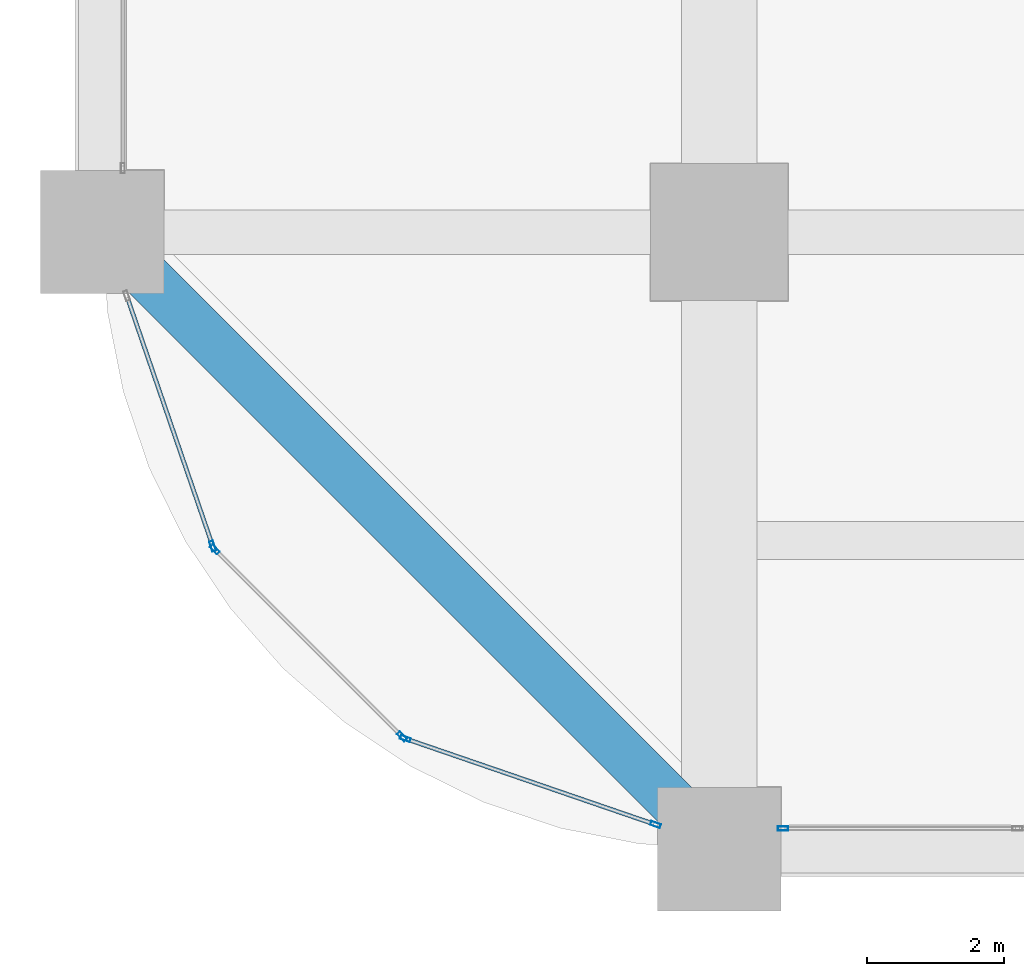
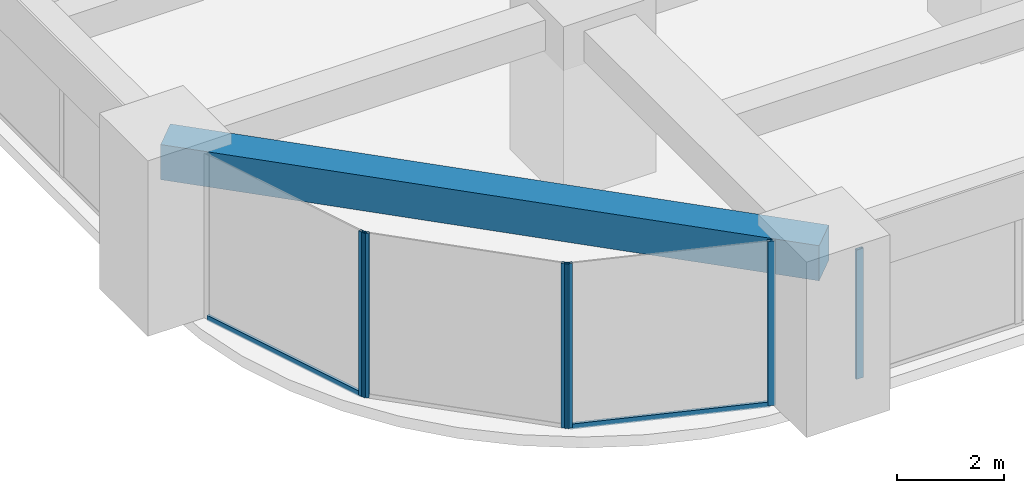
# One storey, part 2 of 39: 8 members, 1 beam, 4 elements without a shape of their own.
"""IFC4 building model written with IfcOpenShell, lengths in metres."""

from ifc_helpers import new_model, si_unit, direction, frame, origin, origin_2d, place, context, subcontext, project, spatial, rectangle, hollow_rectangle, extrude, material, material_profile, profile_set, type_object, element, aggregate, save


model = new_model("IFC4")

# Units and contexts
model_context = context("Model", 3, precision=1e-05, world=origin(), true_north=direction((0.0, 1.0)))
body_context = subcontext(model_context, "Body", "Model", "MODEL_VIEW")
ifc_project = project(units=[si_unit("LENGTHUNIT", "METRE"), si_unit("AREAUNIT", "SQUARE_METRE"), si_unit("VOLUMEUNIT", "CUBIC_METRE"), si_unit("PLANEANGLEUNIT", "RADIAN"), si_unit("MASSUNIT", "GRAM", prefix="KILO")], contexts=[model_context])

# Site, building, storey
site_placement = place(None, origin())
site = spatial("IfcSite", under=ifc_project, at=site_placement, CompositionType="ELEMENT")
building_placement = place(site_placement, origin())
building = spatial("IfcBuilding", under=site, at=building_placement, Name="Zorevar Civic Tower", CompositionType="ELEMENT")
storey_placement = place(building_placement, frame((0.0, 0.0, 117.0)))
storey = spatial("IfcBuildingStorey", under=building, at=storey_placement, Name="L28", CompositionType="ELEMENT", Elevation=117.0)

# Curtain wall, member
ifc_material_1 = material(Name="Dark grey solar-control glass in black aluminium frame", Category="aluminium")
curtain_wall_type = type_object("IfcCurtainWallType", Name="Curtain wall CW3 mid zone", PredefinedType="NOTDEFINED", material=ifc_material_1)
curtain_wall_1_placement = place(storey_placement, origin())
curtain_wall_1 = element("IfcCurtainWall", 1, at=curtain_wall_1_placement, inside=storey, type_object=curtain_wall_type, Name="CW3 L28", PredefinedType="NOTDEFINED")
ifc_material_2 = material(Name="Aluminium, black anodised", Category="aluminium")
ifc_material_profile_1 = material_profile(ifc_material_2, hollow_rectangle(XDim=0.06005859375, YDim=0.14990234375, WallThickness=0.00390625, at=origin_2d()), Name="AL 150x60x4")
ifc_profile_set_1 = profile_set([ifc_material_profile_1], Name="Aluminium, black anodised")
member_type_1 = type_object("IfcMemberType", Name="CW3 mullion AL 150x60x4", PredefinedType="MULLION", material=ifc_profile_set_1)
member_1_placement = place(storey_placement, frame((9.929931640625, 0.300048828125, 0.0), z_axis=(0.0, 0.0, 1.0), x_axis=(0.0, 1.0, 0.0)))
member_1 = element("IfcMember", 2, at=member_1_placement, type_object=member_type_1, Name="CW3 mullion 1", PredefinedType="MULLION", context=body_context, shape_type="SweptSolid", body=[
    extrude(hollow_rectangle(XDim=0.06005859375, YDim=0.14990234375, WallThickness=0.00390625, at=origin_2d()), origin(), (0.0, 0.0, 1.0), 2.949951171875),
])
aggregate(curtain_wall_1, [member_1])

curtain_wall_2_placement = place(storey_placement, origin())
curtain_wall_2 = element("IfcCurtainWall", 3, at=curtain_wall_2_placement, inside=storey, type_object=curtain_wall_type, Name="CW3 L28", PredefinedType="NOTDEFINED")
member_2_placement = place(storey_placement, frame((1.610595703125, 4.420654296875, 0.0), z_axis=(0.0, 0.0, 1.0), x_axis=(0.945755772794, 0.324878466857, 0.0)))
member_2 = element("IfcMember", 4, at=member_2_placement, type_object=member_type_1, Name="CW3 mullion 2", PredefinedType="MULLION", context=body_context, shape_type="SweptSolid", body=[
    extrude(hollow_rectangle(XDim=0.06005859375, YDim=0.14990234375, WallThickness=0.00390625, at=origin_2d()), origin(), (0.0, 0.0, 1.0), 3.75),
])

# Curtain wall, members
curtain_wall_3_placement = place(storey_placement, origin())
curtain_wall_3 = element("IfcCurtainWall", 5, at=curtain_wall_3_placement, inside=storey, type_object=curtain_wall_type, Name="CW3 L28", PredefinedType="NOTDEFINED")
member_3_placement = place(storey_placement, frame((1.6416015625, 4.37109375, 0.0), z_axis=(0.0, 0.0, 1.0), x_axis=(0.707106781187, 0.707106781187, 0.0)))
member_3 = element("IfcMember", 6, at=member_3_placement, type_object=member_type_1, Name="CW3 mullion 1", PredefinedType="MULLION", context=body_context, shape_type="SweptSolid", body=[
    extrude(hollow_rectangle(XDim=0.06005859375, YDim=0.14990234375, WallThickness=0.00390625, at=origin_2d()), origin(), (0.0, 0.0, 1.0), 3.75),
])
member_4_placement = place(storey_placement, frame((4.37109375, 1.6416015625, 0.0), z_axis=(0.0, 0.0, 1.0), x_axis=(0.707106781187, 0.707106781187, 0.0)))
member_4 = element("IfcMember", 7, at=member_4_placement, type_object=member_type_1, Name="CW3 mullion 2", PredefinedType="MULLION", context=body_context, shape_type="SweptSolid", body=[
    extrude(hollow_rectangle(XDim=0.06005859375, YDim=0.14990234375, WallThickness=0.00390625, at=origin_2d()), origin(), (0.0, 0.0, 1.0), 3.75),
])
aggregate(curtain_wall_3, [member_3, member_4])

curtain_wall_4_placement = place(storey_placement, origin())
curtain_wall_4 = element("IfcCurtainWall", 8, at=curtain_wall_4_placement, inside=storey, type_object=curtain_wall_type, Name="CW3 L28", PredefinedType="NOTDEFINED")
member_5_placement = place(storey_placement, frame((4.420654296875, 1.610595703125, 0.0), z_axis=(0.0, 0.0, 1.0), x_axis=(0.324878466857, 0.945755772794, 0.0)))
member_5 = element("IfcMember", 9, at=member_5_placement, type_object=member_type_1, Name="CW3 mullion 1", PredefinedType="MULLION", context=body_context, shape_type="SweptSolid", body=[
    extrude(hollow_rectangle(XDim=0.06005859375, YDim=0.14990234375, WallThickness=0.00390625, at=origin_2d()), origin(), (0.0, 0.0, 1.0), 3.75),
])
member_6_placement = place(storey_placement, frame((8.071533203125, 0.3564453125, 0.0), z_axis=(0.0, 0.0, 1.0), x_axis=(0.324878466857, 0.945755772794, 0.0)))
member_6 = element("IfcMember", 10, at=member_6_placement, type_object=member_type_1, Name="CW3 mullion 2", PredefinedType="MULLION", context=body_context, shape_type="SweptSolid", body=[
    extrude(hollow_rectangle(XDim=0.06005859375, YDim=0.14990234375, WallThickness=0.00390625, at=origin_2d()), origin(), (0.0, 0.0, 1.0), 3.75),
])

# Member
ifc_material_3 = material(Name="Aluminium, black anodised", Category="aluminium")
ifc_material_profile_2 = material_profile(ifc_material_3, hollow_rectangle(XDim=0.06005859375, YDim=0.1201171875, WallThickness=0.0029296875, at=origin_2d()), Name="AL 120x60x3")
ifc_profile_set_2 = profile_set([ifc_material_profile_2], Name="Aluminium, black anodised")
member_type_2 = type_object("IfcMemberType", Name="CW3 transom AL 120x60x3", PredefinedType="USERDEFINED", material=ifc_profile_set_2)
member_7_placement = place(storey_placement, frame((0.3662109375, 8.043212890625, 0.030029296875), z_axis=(0.324887643602, -0.945752620422, 0.0), x_axis=(0.945752620422, 0.324887643602, 0.0)))
member_7 = element("IfcMember", 11, at=member_7_placement, type_object=member_type_2, Name="CW3 sill transom", ObjectType="TRANSOM", PredefinedType="USERDEFINED", context=body_context, shape_type="SweptSolid", body=[
    extrude(hollow_rectangle(XDim=0.06005859375, YDim=0.1201171875, WallThickness=0.0029296875, at=origin_2d()), origin(), (0.0, 0.0, 1.0), 3.800048828125),
])

aggregate(curtain_wall_2, [member_2, member_7])

member_8_placement = place(storey_placement, frame((4.44921875, 1.600830078125, 0.030029296875), z_axis=(0.945752620422, -0.324887643602, 0.0), x_axis=(0.324887643602, 0.945752620422, 0.0)))
member_8 = element("IfcMember", 12, at=member_8_placement, type_object=member_type_2, Name="CW3 sill transom", ObjectType="TRANSOM", PredefinedType="USERDEFINED", context=body_context, shape_type="SweptSolid", body=[
    extrude(hollow_rectangle(XDim=0.06005859375, YDim=0.1201171875, WallThickness=0.0029296875, at=origin_2d()), origin(), (0.0, 0.0, 1.0), 3.800048828125),
])

aggregate(curtain_wall_4, [member_5, member_6, member_8])

# Beam
ifc_material_4 = material(Name="Concrete C50/60", Category="concrete")
ifc_material_profile_3 = material_profile(ifc_material_4, rectangle(XDim=0.699951171875, YDim=0.800048828125, at=origin_2d()), Name="RC 700x800")
ifc_profile_set_3 = profile_set([ifc_material_profile_3], Name="Concrete C50/60")
beam_type = type_object("IfcBeamType", Name="Edge beam RC 700x800", PredefinedType="SPANDREL", material=ifc_profile_set_3)
beam_placement = place(storey_placement, frame((0.0, 9.0, 3.35009765625), z_axis=(0.707106781187, -0.707106781187, 0.0), x_axis=(0.707106781187, 0.707106781187, 0.0)))
element("IfcBeam", 13, at=beam_placement, inside=storey, type_object=beam_type, Name="Corner edge beam L29", PredefinedType="SPANDREL", context=body_context, shape_type="SweptSolid", body=[
    extrude(rectangle(XDim=0.699951171875, YDim=0.800048828125, at=origin_2d()), origin(), (0.0, 0.0, 1.0), 12.72802734375),
])

save(model, "model.ifc")
